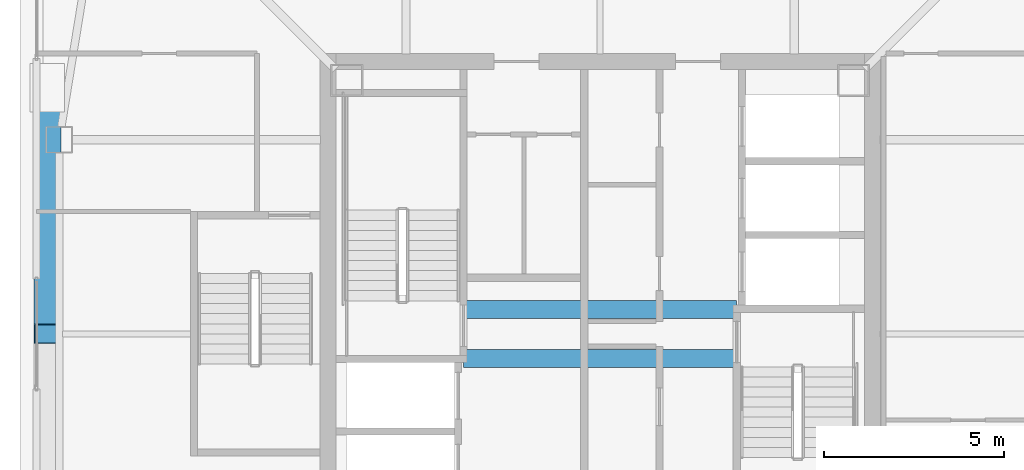
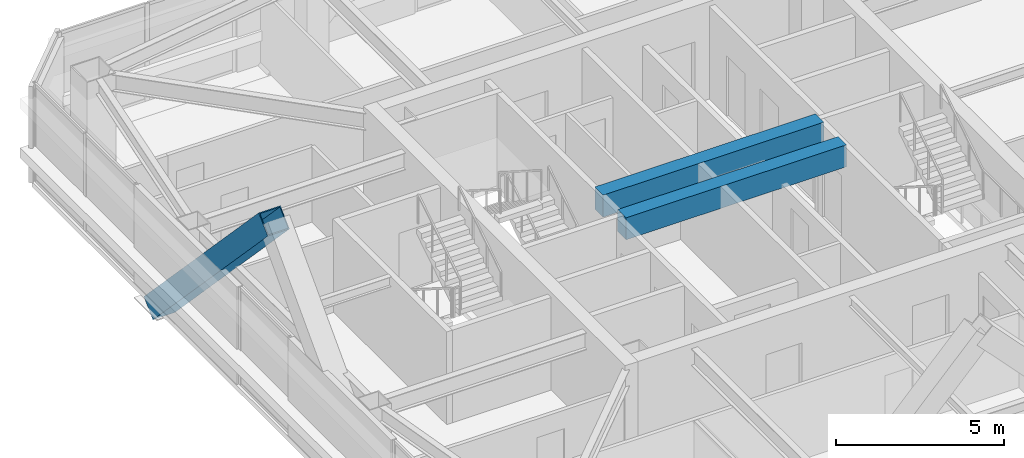
# One storey, part 9 of 39: 2 beams, 1 member.
"""IFC4 building model written with IfcOpenShell, lengths in metres."""

from ifc_helpers import new_model, si_unit, direction, frame, origin, origin_2d, place, context, subcontext, project, spatial, rectangle, hollow_rectangle, extrude, material, material_profile, profile_set, type_object, element, save


model = new_model("IFC4")

# Units and contexts
model_context = context("Model", 3, precision=1e-05, world=origin(), true_north=direction((0.0, 1.0)))
body_context = subcontext(model_context, "Body", "Model", "MODEL_VIEW")
ifc_project = project(units=[si_unit("LENGTHUNIT", "METRE"), si_unit("AREAUNIT", "SQUARE_METRE"), si_unit("VOLUMEUNIT", "CUBIC_METRE"), si_unit("PLANEANGLEUNIT", "RADIAN"), si_unit("MASSUNIT", "GRAM", prefix="KILO")], contexts=[model_context])

# Site, building, storey
site_placement = place(None, origin())
site = spatial("IfcSite", under=ifc_project, at=site_placement, CompositionType="ELEMENT")
building_placement = place(site_placement, origin())
building = spatial("IfcBuilding", under=site, at=building_placement, Name="Tashvorn Skyway Center", CompositionType="ELEMENT")
storey_placement = place(building_placement, frame((0.0, 0.0, 239.699951171875)))
storey = spatial("IfcBuildingStorey", under=building, at=storey_placement, Name="L65", CompositionType="ELEMENT", Elevation=239.699951171875)

# Beams
ifc_material_1 = material(Name="Concrete C50/60", Category="concrete")
ifc_material_profile_1 = material_profile(ifc_material_1, rectangle(XDim=0.5, YDim=0.800048828125, at=origin_2d()), Name="RCB500x800")
ifc_profile_set_1 = profile_set([ifc_material_profile_1], Name="Concrete C50/60")
beam_type = type_object("IfcBeamType", Name="BM-LINTEL-RCB500x800", PredefinedType="LINTEL", material=ifc_profile_set_1)
for number, where, z_axis, x_axis, name in (
    (1, (38.199951171875, 32.679931640625, 2.969970703125), (1.0, 0.0, 0.0), (0.0, 1.0, 0.0), "Tower 1 L65 Core Coupling Beam CN"),
    (2, (38.199951171875, 31.320068359375, 2.969970703125), (1.0, 0.0, 0.0), (0.0, 1.0, 0.0), "Tower 1 L65 Core Coupling Beam CS"),
):
    element("IfcBeam", number, at=place(storey_placement, frame(where, z_axis=z_axis, x_axis=x_axis)), inside=storey, type_object=beam_type, Name=name, PredefinedType="LINTEL", context=body_context, shape_type="SweptSolid", body=[
        extrude(rectangle(XDim=0.5, YDim=0.800048828125, at=origin_2d()), origin(), (0.0, 0.0, 1.0), 7.60009765625),
    ])

# Member
ifc_material_2 = material(Name="Steel ASTM A572 Grade 50", Category="steel")
ifc_material_profile_2 = material_profile(ifc_material_2, hollow_rectangle(XDim=0.75, YDim=0.75, WallThickness=0.031982421875, at=origin_2d()), Name="BOX750x750x32")
ifc_profile_set_2 = profile_set([ifc_material_profile_2], Name="Steel ASTM A572 Grade 50")
member_type = type_object("IfcMemberType", Name="MEM-MB-750", PredefinedType="BRACE", material=ifc_profile_set_2)
member_placement = place(storey_placement, frame((26.6201171875, 38.85009765625, -0.449951171875), z_axis=(0.0, -0.689285797105, 0.724489537474), x_axis=(1.0, 0.0, 0.0)))
element("IfcMember", 3, at=member_placement, inside=storey, type_object=member_type, Name="Tower 1 Zone 6 W Chevron Mega-Brace L2", PredefinedType="BRACE", context=body_context, shape_type="SweptSolid", body=[
    extrude(hollow_rectangle(XDim=0.75, YDim=0.75, WallThickness=0.031982421875, at=origin_2d()), origin(), (0.0, 0.0, 1.0), 9.93798828125),
])

save(model, "model.ifc")
